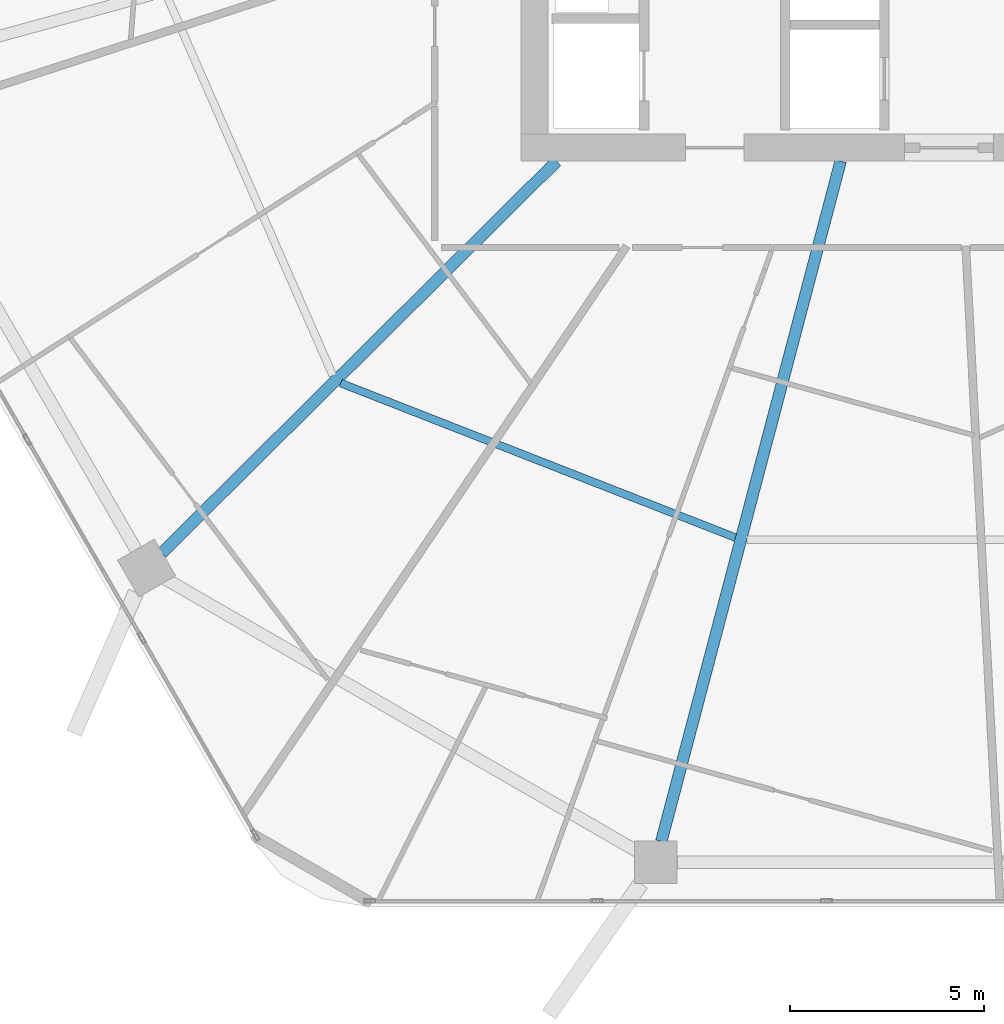
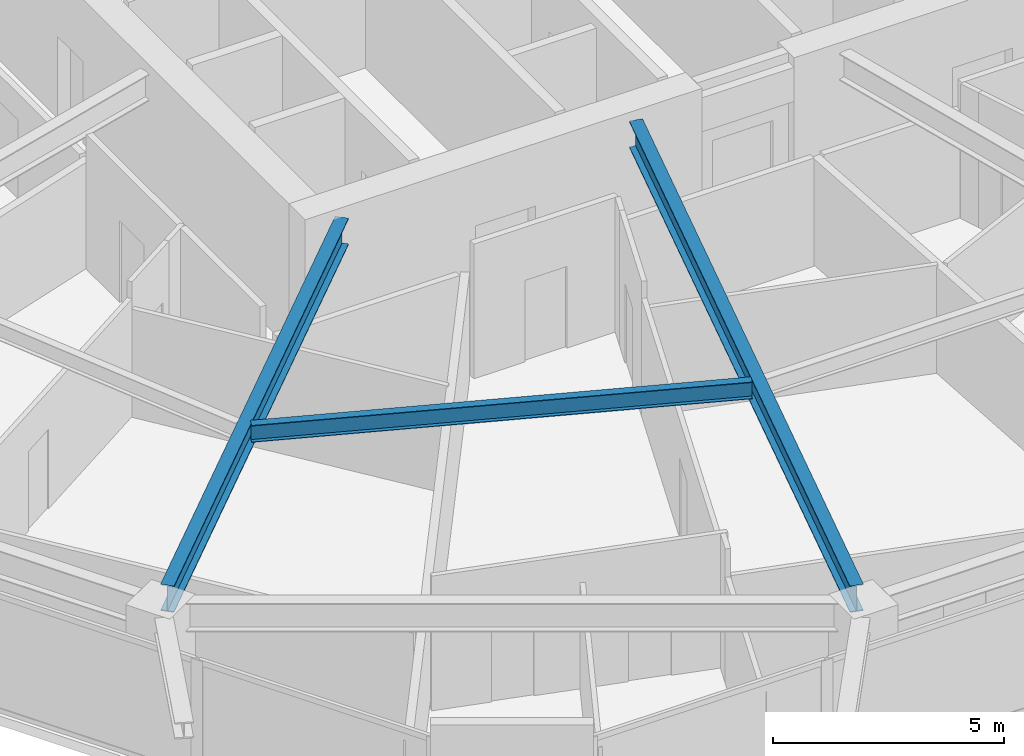
# One storey, part 4 of 32: 3 beams.
"""IFC4 building model written with IfcOpenShell, lengths in metres."""

import ifcopenshell
import ifcopenshell.guid

model = None  # the IFC model being written
_history = None  # IfcOwnerHistory: only IFC2X3 demands one
_inside = {}  # id of a spatial element -> (the spatial element, [elements in it])
_under = {}  # id of a project, library or spatial element -> (it, [spatial elements below it])
_declared = {}  # id of a project -> (the project, [libraries it declares])
_typed = {}  # id of a type object -> (the type object, [elements of that type])
_made_of = {}  # id of a material, layer set ... -> (it, [elements and type objects made of it])


def new_model(schema):
    """Start an empty IFC model of exactly this schema.

    Asked for "IFC4X3", IfcOpenShell would pick the latest addendum, in which some entities
    have other attributes; the version numbers below select the first issue.
    IFC2X3 requires an IfcOwnerHistory on every rooted entity: one is made here for all.
    """
    global model, _history
    if schema == "IFC4X3":
        model = ifcopenshell.file(schema_version=(4, 3, 0, 0))
    else:
        model = ifcopenshell.file(schema=schema)
    _inside.clear()
    _under.clear()
    _declared.clear()
    _typed.clear()
    _made_of.clear()
    _history = None
    if model.schema == "IFC2X3":
        org = make("IfcOrganization", Name="unknown")
        user = make(
            "IfcPersonAndOrganization",
            ThePerson=make("IfcPerson", FamilyName="unknown"),
            TheOrganization=org,
        )
        app = make(
            "IfcApplication",
            ApplicationDeveloper=org,
            Version="unknown",
            ApplicationFullName="unknown",
            ApplicationIdentifier="unknown",
        )
        _history = make(
            "IfcOwnerHistory",
            OwningUser=user,
            OwningApplication=app,
            ChangeAction="ADDED",
            CreationDate=0,
        )
    return model


def make(cls, **values):
    """One entity of the class cls with the attributes given. An attribute that is None is left unset."""
    return model.create_entity(
        cls, **{name: value for name, value in values.items() if value is not None}
    )


def rooted(cls, **values):
    """An entity with a GlobalId (a new one), such as an element, a storey or a relation."""
    return make(cls, GlobalId=ifcopenshell.guid.new(), OwnerHistory=_history, **values)


def si_unit(unit_type, name, prefix=None):
    """IfcSIUnit, for example si_unit("LENGTHUNIT", "METRE", prefix="MILLI")."""
    return make("IfcSIUnit", UnitType=unit_type, Prefix=prefix, Name=name)


def assignment(units):
    """IfcUnitAssignment: the units of a project."""
    return None if units is None else make("IfcUnitAssignment", Units=units)


def point(xyz):
    """IfcCartesianPoint."""
    return None if xyz is None else make("IfcCartesianPoint", Coordinates=xyz)


def direction(xyz):
    """IfcDirection."""
    return None if xyz is None else make("IfcDirection", DirectionRatios=xyz)


def frame(location, z_axis=None, x_axis=None):
    """IfcAxis2Placement3D, a coordinate frame: its origin and axes. An axis left out is left unset."""
    return make(
        "IfcAxis2Placement3D",
        Location=point(location),
        Axis=direction(z_axis),
        RefDirection=direction(x_axis),
    )


def frame_2d(location, x_axis=None):
    """IfcAxis2Placement2D, a coordinate frame in the plane: its origin and x axis."""
    return make(
        "IfcAxis2Placement2D", Location=point(location), RefDirection=direction(x_axis)
    )


def origin():
    """The frame at (0, 0, 0) with its axes left unset."""
    return frame((0.0, 0.0, 0.0))


def origin_2d():
    """The frame at (0, 0) in the plane with its x axis left unset."""
    return frame_2d((0.0, 0.0))


def place(relative_to, where):
    """IfcLocalPlacement: puts the frame where relative to a parent placement (None: the world)."""
    return make(
        "IfcLocalPlacement", PlacementRelTo=relative_to, RelativePlacement=where
    )


def context(
    kind, dimensions, precision=None, world=None, true_north=None, identifier=None
):
    """IfcGeometricRepresentationContext, for example the 3D "Model" context."""
    return make(
        "IfcGeometricRepresentationContext",
        ContextIdentifier=identifier,
        ContextType=kind,
        CoordinateSpaceDimension=dimensions,
        Precision=precision,
        WorldCoordinateSystem=world,
        TrueNorth=true_north,
    )


def subcontext(parent, identifier, kind, view, scale=None):
    """IfcGeometricRepresentationSubContext, for example "Body" below "Model"."""
    return make(
        "IfcGeometricRepresentationSubContext",
        ContextIdentifier=identifier,
        ContextType=kind,
        ParentContext=parent,
        TargetScale=scale,
        TargetView=view,
    )


def project(units=None, contexts=None):
    """IfcProject with its units and contexts."""
    return rooted(
        "IfcProject",
        Name="project",
        RepresentationContexts=contexts,
        UnitsInContext=assignment(units),
    )


def spatial(cls, under=None, at=None, **own):
    """A site, building, storey or space (cls), placed at a placement, below another one or the project."""
    s = rooted(cls, ObjectPlacement=at, **own)
    if under is not None:
        _under.setdefault(under.id(), (under, []))[1].append(s)
    return s


def profile(cls, at=None, kind="AREA", **sizes):
    """A parametric profile (cls). Its sizes go by their IFC names, for example OverallWidth=200.0."""
    return make(cls, ProfileType=kind, Position=at, **sizes)


def i_section(**sizes):
    """IfcIShapeProfileDef."""
    return profile("IfcIShapeProfileDef", **sizes)


def extrude(swept, where, along, depth):
    """IfcExtrudedAreaSolid: the profile swept, set in the frame where, extruded along a direction by depth."""
    return make(
        "IfcExtrudedAreaSolid",
        SweptArea=swept,
        Position=where,
        ExtrudedDirection=direction(along),
        Depth=depth,
    )


def shape(context_of_items, identifier, shape_type, items):
    """IfcShapeRepresentation: the items that make up one representation, for example the "Body"."""
    return make(
        "IfcShapeRepresentation",
        ContextOfItems=context_of_items,
        RepresentationIdentifier=identifier,
        RepresentationType=shape_type,
        Items=items,
    )


def material(Name=None, Category=None):
    """IfcMaterial."""
    return make("IfcMaterial", Name=Name, Category=Category)


def material_profile(
    of_material, cross_section, Name=None, Category=None, Priority=None
):
    """IfcMaterialProfile: a cross section and its material."""
    return make(
        "IfcMaterialProfile",
        Name=Name,
        Material=of_material,
        Profile=cross_section,
        Priority=Priority,
        Category=Category,
    )


def profile_set(profiles, Name=None, composite=None):
    """IfcMaterialProfileSet."""
    return make(
        "IfcMaterialProfileSet",
        Name=Name,
        MaterialProfiles=profiles,
        CompositeProfile=composite,
    )


def made_of(thing, what):
    """Note that an element or type object is made of a material, layer set ...; save() writes the relation."""
    if what is not None:
        _made_of.setdefault(what.id(), (what, []))[1].append(thing)
    return thing


def type_object(cls, material=None, **own):
    """A type object (cls), such as IfcWallType, which elements share."""
    return made_of(rooted(cls, **own), material)


def element(
    cls,
    number,
    at=None,
    inside=None,
    cuts=None,
    type_object=None,
    material=None,
    context=None,
    identifier="Body",
    shape_type=None,
    held_by="IfcProductDefinitionShape",
    body=None,
    shapes=None,
    **own,
):
    """One element of the class cls, such as IfcWall. Its Tag is "e" and its number.

    at: its placement. inside: the storey or other place that contains it. cuts: it is an
    opening in that element (IfcRelVoidsElement). A single representation is given by context,
    identifier, shape_type and body (its items); several are given by shapes. held_by: the class
    of the entity that holds the representations. save() writes the other relations.
    """
    e = rooted(cls, Tag="e%d" % number, ObjectPlacement=at, **own)
    if body is not None:
        shapes = [shape(context, identifier, shape_type, body)]
    if shapes is not None:
        e.Representation = make(held_by, Representations=shapes)
    if inside is not None:
        _inside.setdefault(inside.id(), (inside, []))[1].append(e)
    if cuts is not None:
        rooted(
            "IfcRelVoidsElement", RelatingBuildingElement=cuts, RelatedOpeningElement=e
        )
    if type_object is not None:
        _typed.setdefault(type_object.id(), (type_object, []))[1].append(e)
    return made_of(e, material)


def aggregate(whole, parts):
    """IfcRelAggregates: a whole, such as a stair, and the parts it consists of."""
    return rooted("IfcRelAggregates", RelatingObject=whole, RelatedObjects=parts)


def save(model, path):
    """Write the relations noted so far, then the file.

    IfcRelAggregates (storeys below a building ...), IfcRelContainedInSpatialStructure (elements
    in a storey), IfcRelDefinesByType, IfcRelAssociatesMaterial and IfcRelDeclares: one each for
    every whole, place, type object, material and project.
    """
    for whole, parts in _under.values():
        aggregate(whole, parts)
    for where, things in _inside.values():
        rooted(
            "IfcRelContainedInSpatialStructure",
            RelatedElements=things,
            RelatingStructure=where,
        )
    for kind, things in _typed.values():
        rooted("IfcRelDefinesByType", RelatedObjects=things, RelatingType=kind)
    for what, things in _made_of.values():
        rooted("IfcRelAssociatesMaterial", RelatedObjects=things, RelatingMaterial=what)
    for by, libraries in _declared.values():
        rooted("IfcRelDeclares", RelatingContext=by, RelatedDefinitions=libraries)
    model.write(path)


model = new_model("IFC4")

# Units and contexts
model_context = context("Model", 3, precision=1e-05, world=origin(), true_north=direction((0.0, 1.0)))
body_context = subcontext(model_context, "Body", "Model", "MODEL_VIEW")
ifc_project = project(units=[si_unit("LENGTHUNIT", "METRE"), si_unit("AREAUNIT", "SQUARE_METRE"), si_unit("VOLUMEUNIT", "CUBIC_METRE"), si_unit("PLANEANGLEUNIT", "RADIAN"), si_unit("MASSUNIT", "GRAM", prefix="KILO")], contexts=[model_context])

# Site, building, storey
site_placement = place(None, origin())
site = spatial("IfcSite", under=ifc_project, at=site_placement, CompositionType="ELEMENT")
building_placement = place(site_placement, origin())
building = spatial("IfcBuilding", under=site, at=building_placement, Name="Zuhravey Tower", CompositionType="ELEMENT")
storey_placement = place(building_placement, frame((0.0, 0.0, 119.0)))
storey = spatial("IfcBuildingStorey", under=building, at=storey_placement, Name="L29", CompositionType="ELEMENT", Elevation=119.0)

# Beams
ifc_material = material(Name="Steel SM355", Category="steel")
ifc_material_profile_1 = material_profile(ifc_material, i_section(OverallWidth=0.300048828125, OverallDepth=0.699951171875, WebThickness=0.012939453125, FlangeThickness=0.02392578125, at=origin_2d()), Name="H-700x300x13x24")
ifc_profile_set_1 = profile_set([ifc_material_profile_1], Name="Steel SM355")
beam_type_1 = type_object("IfcBeamType", Name="Radial Primary Girder H700x300", PredefinedType="BEAM", material=ifc_profile_set_1)
beam_1_placement = place(storey_placement, frame((26.068603515625, 22.14697265625, 3.199951171875), z_axis=(-0.709906230344, -0.704296204816, 0.0), x_axis=(0.704296204816, -0.709906230344, 0.0)))
element("IfcBeam", 1, at=beam_1_placement, inside=storey, type_object=beam_type_1, Name="L29 RG1 BM-L29-RAD-08", PredefinedType="BEAM", context=body_context, shape_type="SweptSolid", body=[
    extrude(i_section(OverallWidth=0.300048828125, OverallDepth=0.699951171875, WebThickness=0.012939453125, FlangeThickness=0.02392578125, at=origin_2d()), origin(), (0.0, 0.0, 1.0), 14.361083984375),
])
beam_2_placement = place(storey_placement, frame((33.40185546875, 22.14697265625, 3.199951171875), z_axis=(-0.25498755891, -0.966944333869, 0.0), x_axis=(0.966944333869, -0.25498755891, 0.0)))
element("IfcBeam", 2, at=beam_2_placement, inside=storey, type_object=beam_type_1, Name="L29 RG1 BM-L29-RAD-09", PredefinedType="BEAM", context=body_context, shape_type="SweptSolid", body=[
    extrude(i_section(OverallWidth=0.300048828125, OverallDepth=0.699951171875, WebThickness=0.012939453125, FlangeThickness=0.02392578125, at=origin_2d()), origin(), (0.0, 0.0, 1.0), 18.1611328125),
])
ifc_material_profile_2 = material_profile(ifc_material, i_section(OverallWidth=0.199951171875, OverallDepth=0.449951171875, WebThickness=0.009033203125, FlangeThickness=0.013916015625, at=origin_2d()), Name="H-450x200x9x14")
ifc_profile_set_2 = profile_set([ifc_material_profile_2], Name="Steel SM355")
beam_type_2 = type_object("IfcBeamType", Name="Secondary Floor Joist H450x200", PredefinedType="JOIST", material=ifc_profile_set_2)
beam_3_placement = place(storey_placement, frame((20.49462890625, 16.418701171875, 3.324951171875), z_axis=(0.931216764731, -0.364465824302, 0.0), x_axis=(0.364465824302, 0.931216764731, 0.0)))
element("IfcBeam", 3, at=beam_3_placement, inside=storey, type_object=beam_type_2, Name="L29 SJ1 BM-L29-SJ-08-1", PredefinedType="JOIST", context=body_context, shape_type="SweptSolid", body=[
    extrude(i_section(OverallWidth=0.199951171875, OverallDepth=0.449951171875, WebThickness=0.009033203125, FlangeThickness=0.013916015625, at=origin_2d()), origin(), (0.0, 0.0, 1.0), 10.939453125),
])

save(model, "model.ifc")
